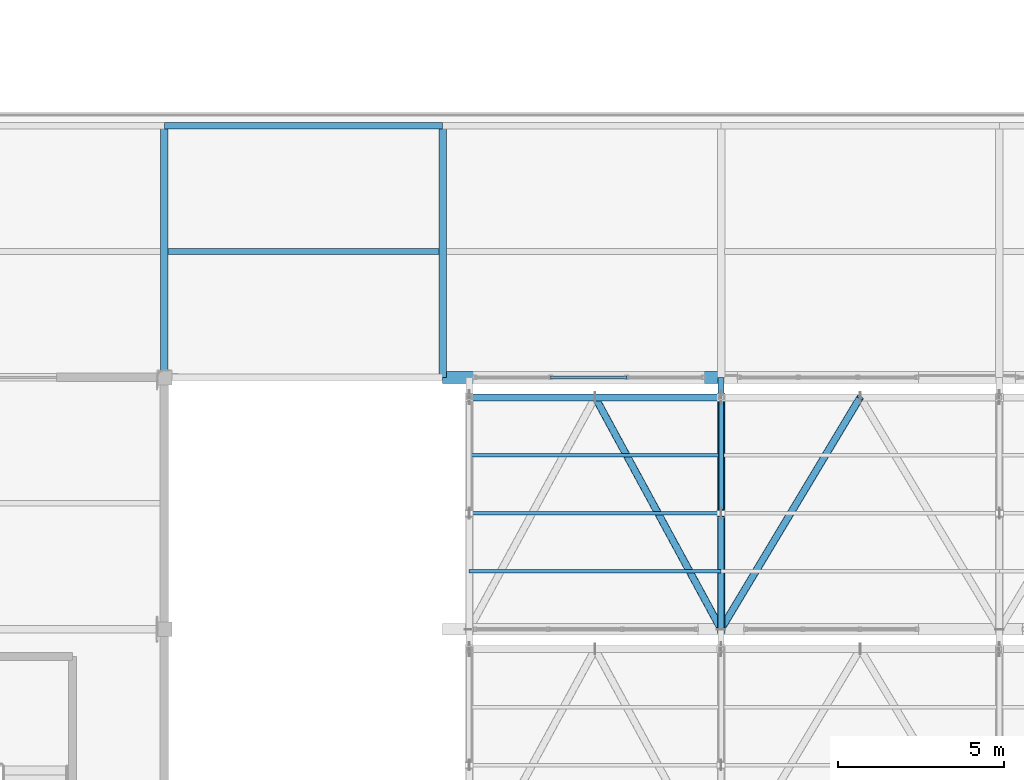
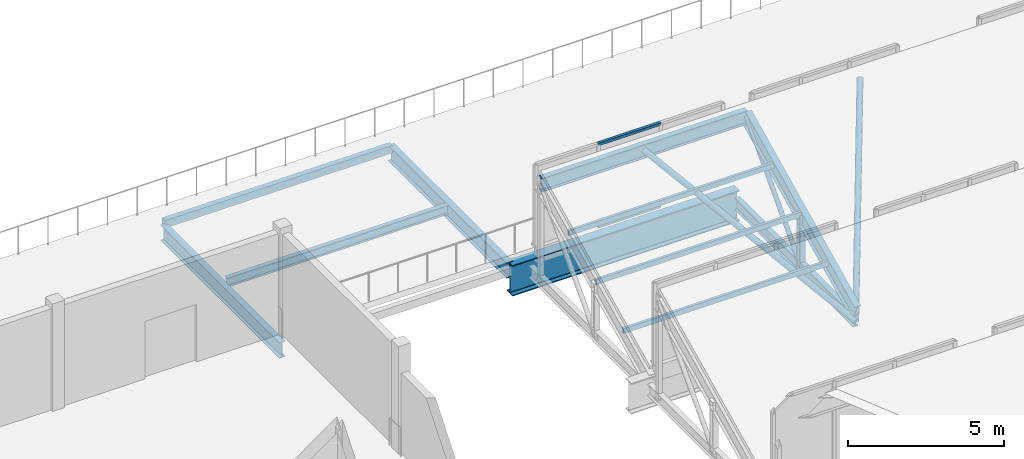
# One storey, part 18 of 57: 12 members, 5 beams, 1 element without a shape of its own.
"""IFC4 building model written with IfcOpenShell, lengths in metres."""

from ifc_helpers import new_model, si_unit, direction, frame, origin, origin_2d, place, context, subcontext, project, spatial, hollow_rectangle, hollow_circle, i_section, extrude, material, material_profile, profile_set, type_object, element, aggregate, save


model = new_model("IFC4")

# Units and contexts
model_context = context("Model", 3, precision=1e-05, world=origin(), true_north=direction((0.0, 1.0)))
body_context = subcontext(model_context, "Body", "Model", "MODEL_VIEW")
ifc_project = project(units=[si_unit("LENGTHUNIT", "METRE"), si_unit("AREAUNIT", "SQUARE_METRE"), si_unit("VOLUMEUNIT", "CUBIC_METRE"), si_unit("PLANEANGLEUNIT", "RADIAN"), si_unit("MASSUNIT", "GRAM", prefix="KILO")], contexts=[model_context])

# Site, building, storey
site_placement = place(None, origin())
site = spatial("IfcSite", under=ifc_project, at=site_placement, CompositionType="ELEMENT")
building_placement = place(site_placement, origin())
building = spatial("IfcBuilding", under=site, at=building_placement, Name="Zuvorla Pavilion Media Centre", CompositionType="ELEMENT")
storey_placement = place(building_placement, frame((0.0, 0.0, 18.0)))
storey = spatial("IfcBuildingStorey", under=building, at=storey_placement, Name="L04", CompositionType="ELEMENT", Elevation=18.0)

# Beams
ifc_material_1 = material(Name="Steel S355", Category="steel")
ifc_material_profile_1 = material_profile(ifc_material_1, i_section(OverallWidth=0.360107421875, OverallDepth=1.199951171875, WebThickness=0.02001953125, FlangeThickness=0.0380859375, FilletRadius=0.02392578125, at=origin_2d()), Name="PG 1200x360x38")
ifc_profile_set_1 = profile_set([ifc_material_profile_1], Name="Steel S355")
beam_type_1 = type_object("IfcBeamType", Name="BM-PG1200", PredefinedType="BEAM", material=ifc_profile_set_1)
beam_1_placement = place(storey_placement, frame((117.199951171875, 44.0, -0.887939453125), z_axis=(1.0, 0.0, 0.0), x_axis=(0.0, 1.0, 0.0)))
element("IfcBeam", 1, at=beam_1_placement, inside=storey, type_object=beam_type_1, Name="L04 beam B01 1829", PredefinedType="BEAM", context=body_context, shape_type="SweptSolid", body=[
    extrude(i_section(OverallWidth=0.360107421875, OverallDepth=1.199951171875, WebThickness=0.02001953125, FlangeThickness=0.0380859375, FilletRadius=0.02392578125, at=origin_2d()), origin(), (0.0, 0.0, 1.0), 8.400146484375),
])
ifc_material_profile_2 = material_profile(ifc_material_1, hollow_rectangle(XDim=0.199951171875, YDim=0.300048828125, WallThickness=0.012451171875, at=origin_2d()), Name="RHS 300x200x12.5")
ifc_profile_set_2 = profile_set([ifc_material_profile_2], Name="Steel S355")
beam_type_2 = type_object("IfcBeamType", Name="BM-SP-RHS300", PredefinedType="SPANDREL", material=ifc_profile_set_2)
beam_2_placement = place(storey_placement, frame((108.800048828125, 51.60009765625, -0.39794921875), z_axis=(1.0, 0.0, 0.0), x_axis=(0.0, 1.0, 0.0)))
element("IfcBeam", 2, at=beam_2_placement, inside=storey, type_object=beam_type_2, Name="L04 spandrel SP01 1345", PredefinedType="SPANDREL", context=body_context, shape_type="SweptSolid", body=[
    extrude(hollow_rectangle(XDim=0.199951171875, YDim=0.300048828125, WallThickness=0.012451171875, at=origin_2d()), origin(), (0.0, 0.0, 1.0), 8.39990234375),
])
ifc_material_profile_3 = material_profile(ifc_material_1, i_section(OverallWidth=0.172119140625, OverallDepth=0.35791015625, WebThickness=0.008056640625, FlangeThickness=0.012939453125, FilletRadius=0.01025390625, at=origin_2d()), Name="UB 356x171x57")
ifc_profile_set_3 = profile_set([ifc_material_profile_3], Name="Steel S355")
beam_type_3 = type_object("IfcBeamType", Name="BM-UB356", PredefinedType="JOIST", material=ifc_profile_set_3)
beam_3_placement = place(storey_placement, frame((108.909423828125, 47.800048828125, -0.427001953125), z_axis=(1.0, 0.0, 0.0), x_axis=(0.0, 1.0, 0.0)))
element("IfcBeam", 3, at=beam_3_placement, inside=storey, type_object=beam_type_3, Name="L04 joist J03 1523", PredefinedType="JOIST", context=body_context, shape_type="SweptSolid", body=[
    extrude(i_section(OverallWidth=0.172119140625, OverallDepth=0.35791015625, WebThickness=0.008056640625, FlangeThickness=0.012939453125, FilletRadius=0.01025390625, at=origin_2d()), origin(), (0.0, 0.0, 1.0), 8.18115234375),
])
ifc_material_profile_4 = material_profile(ifc_material_1, i_section(OverallWidth=0.22900390625, OverallDepth=0.6123046875, WebThickness=0.011962890625, FlangeThickness=0.01953125, FilletRadius=0.0126953125, at=origin_2d()), Name="UB 610x229x125")
ifc_profile_set_4 = profile_set([ifc_material_profile_4], Name="Steel S355")
beam_type_4 = type_object("IfcBeamType", Name="BM-UB610", PredefinedType="BEAM", material=ifc_profile_set_4)
for number, where, z_axis, x_axis, name in (
    (4, (108.800048828125, 44.0, -0.734130859375), (0.0, 1.0, 0.0), (-1.0, 0.0, 0.0), "L04 beam B07 1454"),
    (5, (117.199951171875, 44.0, -0.55419921875), (0.0, 1.0, 0.0), (-1.0, 0.0, 0.0), "L04 beam B07 1456"),
):
    element("IfcBeam", number, at=place(storey_placement, frame(where, z_axis=z_axis, x_axis=x_axis)), inside=storey, type_object=beam_type_4, Name=name, PredefinedType="BEAM", context=body_context, shape_type="SweptSolid", body=[
        extrude(i_section(OverallWidth=0.22900390625, OverallDepth=0.6123046875, WebThickness=0.011962890625, FlangeThickness=0.01953125, FilletRadius=0.0126953125, at=origin_2d()), origin(), (0.0, 0.0, 1.0), 7.60009765625),
    ])

# Curtain wall, members
ifc_material_2 = material(Name="Unitised anodised aluminium and solar glass curtain wall", Category="aluminium")
curtain_wall_type = type_object("IfcCurtainWallType", Name="CW-SYS-92", PredefinedType="USERDEFINED", material=ifc_material_2)
curtain_wall_placement = place(storey_placement, origin())
curtain_wall = element("IfcCurtainWall", 6, at=curtain_wall_placement, inside=storey, type_object=curtain_wall_type, Name="L04 curtain wall CW92 246", ObjectType="CURTAIN WALL", PredefinedType="USERDEFINED")
ifc_material_3 = material(Name="Anodised aluminium 6063-T6", Category="aluminium")
ifc_material_profile_5 = material_profile(ifc_material_3, hollow_rectangle(XDim=0.10009765625, YDim=0.10009765625, WallThickness=0.00439453125, at=origin_2d()), Name="ALU TRAN 100x100")
ifc_profile_set_5 = profile_set([ifc_material_profile_5], Name="Anodised aluminium 6063-T6")
member_type_1 = type_object("IfcMemberType", Name="CW-TRAN-100", PredefinedType="USERDEFINED", material=ifc_profile_set_5)
member_1_placement = place(storey_placement, frame((120.458984375, 44.0, 0.0), z_axis=(1.0, 0.0, 0.0), x_axis=(0.0, 1.0, 0.0)))
member_1 = element("IfcMember", 7, at=member_1_placement, type_object=member_type_1, Name="CW92 transom 2.1", ObjectType="TRANSOM", PredefinedType="USERDEFINED", context=body_context, shape_type="SweptSolid", body=[
    extrude(hollow_rectangle(XDim=0.10009765625, YDim=0.10009765625, WallThickness=0.00439453125, at=origin_2d()), origin(), (0.0, 0.0, 1.0), 2.29931640625),
])
member_2_placement = place(storey_placement, frame((120.458984375, 44.0, 3.219970703125), z_axis=(1.0, 0.0, 0.0), x_axis=(0.0, 1.0, 0.0)))
member_2 = element("IfcMember", 8, at=member_2_placement, type_object=member_type_1, Name="CW92 transom 2.2", ObjectType="TRANSOM", PredefinedType="USERDEFINED", context=body_context, shape_type="SweptSolid", body=[
    extrude(hollow_rectangle(XDim=0.10009765625, YDim=0.10009765625, WallThickness=0.00439453125, at=origin_2d()), origin(), (0.0, 0.0, 1.0), 2.29931640625),
])
aggregate(curtain_wall, [member_1, member_2])

# Members
ifc_material_profile_6 = material_profile(ifc_material_1, hollow_circle(Radius=0.084228515625, WallThickness=0.008056640625, at=origin_2d()), Name="CHS 168.3x8")
ifc_profile_set_6 = profile_set([ifc_material_profile_6], Name="Steel S355")
member_type_2 = type_object("IfcMemberType", Name="MEM-BRC-CHS168", PredefinedType="BRACE", material=ifc_profile_set_6)
member_3_placement = place(storey_placement, frame((125.60009765625, 39.89990234375, -0.8798828125), z_axis=(0.0, 0.681156069412, 0.732138244529), x_axis=(-1.0, 0.0, 0.0)))
element("IfcMember", 9, at=member_3_placement, inside=storey, type_object=member_type_2, Name="L04 diagonal brace TB03 746", PredefinedType="BRACE", context=body_context, shape_type="SweptSolid", body=[
    extrude(hollow_circle(Radius=0.084228515625, WallThickness=0.008056640625, at=origin_2d()), origin(), (0.0, 0.0, 1.0), 5.138427734375),
])
ifc_material_profile_7 = material_profile(ifc_material_1, hollow_circle(Radius=0.109619140625, WallThickness=0.010009765625, at=origin_2d()), Name="CHS 219.1x10")
ifc_profile_set_7 = profile_set([ifc_material_profile_7], Name="Steel S355")
member_type_3 = type_object("IfcMemberType", Name="MEM-BRC-CHS219", PredefinedType="BRACE", material=ifc_profile_set_7)
member_4_placement = place(storey_placement, frame((121.800048828125, 43.39990234375, 2.882080078125), z_axis=(0.431398513672, -0.79467126142, -0.427074827958), x_axis=(0.878850861224, 0.477096597899, 0.0)))
element("IfcMember", 10, at=member_4_placement, inside=storey, type_object=member_type_3, Name="L04 diagonal brace TB02 770", PredefinedType="BRACE", context=body_context, shape_type="SweptSolid", body=[
    extrude(hollow_circle(Radius=0.109619140625, WallThickness=0.010009765625, at=origin_2d()), origin(), (0.0, 0.0, 1.0), 8.80859375),
])
member_5_placement = place(storey_placement, frame((125.60009765625, 36.39990234375, -0.8798828125), z_axis=(0.46726169892, 0.778778552081, 0.418533716135), x_axis=(-0.857495564561, 0.514491357322, 0.0)))
element("IfcMember", 11, at=member_5_placement, inside=storey, type_object=member_type_3, Name="L04 diagonal brace TB02 775", PredefinedType="BRACE", context=body_context, shape_type="SweptSolid", body=[
    extrude(hollow_circle(Radius=0.109619140625, WallThickness=0.010009765625, at=origin_2d()), origin(), (0.0, 0.0, 1.0), 8.988525390625),
])
ifc_material_profile_8 = material_profile(ifc_material_1, i_section(OverallWidth=0.19140625, OverallDepth=0.4599609375, WebThickness=0.010009765625, FlangeThickness=0.01611328125, FilletRadius=0.01025390625, at=origin_2d()), Name="UB 457x191x82")
ifc_profile_set_8 = profile_set([ifc_material_profile_8], Name="Steel S355")
member_type_4 = type_object("IfcMemberType", Name="MEM-CHD-UB457", PredefinedType="CHORD", material=ifc_profile_set_8)
member_6_placement = place(storey_placement, frame((125.60009765625, 36.39990234375, -0.8798828125), z_axis=(0.0, 1.0, 0.0), x_axis=(-1.0, 0.0, 0.0)))
element("IfcMember", 12, at=member_6_placement, inside=storey, type_object=member_type_4, Name="L04 chord TC03 743", PredefinedType="CHORD", context=body_context, shape_type="SweptSolid", body=[
    extrude(i_section(OverallWidth=0.19140625, OverallDepth=0.4599609375, WebThickness=0.010009765625, FlangeThickness=0.01611328125, FilletRadius=0.01025390625, at=origin_2d()), origin(), (0.0, 0.0, 1.0), 7.60009765625),
])
ifc_material_profile_9 = material_profile(ifc_material_1, i_section(OverallWidth=0.2099609375, OverallDepth=0.53662109375, WebThickness=0.0107421875, FlangeThickness=0.017333984375, FilletRadius=0.0126953125, at=origin_2d()), Name="UB 533x210x101")
ifc_profile_set_9 = profile_set([ifc_material_profile_9], Name="Steel S355")
member_type_5 = type_object("IfcMemberType", Name="MEM-CHD-UB533", PredefinedType="CHORD", material=ifc_profile_set_9)
member_7_placement = place(storey_placement, frame((118.0, 43.39990234375, 2.882080078125), z_axis=(1.0, 0.0, 0.0), x_axis=(0.0, 1.0, 0.0)))
element("IfcMember", 13, at=member_7_placement, inside=storey, type_object=member_type_5, Name="L04 chord TC02 768", PredefinedType="CHORD", context=body_context, shape_type="SweptSolid", body=[
    extrude(i_section(OverallWidth=0.2099609375, OverallDepth=0.53662109375, WebThickness=0.0107421875, FlangeThickness=0.017333984375, FilletRadius=0.0126953125, at=origin_2d()), origin(), (0.0, 0.0, 1.0), 7.60009765625),
])
ifc_material_profile_10 = material_profile(ifc_material_1, i_section(OverallWidth=0.22900390625, OverallDepth=0.6123046875, WebThickness=0.011962890625, FlangeThickness=0.01953125, FilletRadius=0.0126953125, at=origin_2d()), Name="UB 610x229x125")
ifc_profile_set_10 = profile_set([ifc_material_profile_10], Name="Steel S355")
member_type_6 = type_object("IfcMemberType", Name="MEM-CHD-UB610", PredefinedType="CHORD", material=ifc_profile_set_10)
member_8_placement = place(storey_placement, frame((125.60009765625, 36.39990234375, -0.517822265625), z_axis=(0.0, 0.899513090263, 0.436893809117), x_axis=(-1.0, 0.0, 0.0)))
element("IfcMember", 14, at=member_8_placement, inside=storey, type_object=member_type_6, Name="L04 chord TC01 744", PredefinedType="CHORD", context=body_context, shape_type="SweptSolid", body=[
    extrude(i_section(OverallWidth=0.22900390625, OverallDepth=0.6123046875, WebThickness=0.011962890625, FlangeThickness=0.01953125, FilletRadius=0.0126953125, at=origin_2d()), origin(), (0.0, 0.0, 1.0), 7.781982421875),
])
ifc_material_profile_11 = material_profile(ifc_material_1, hollow_rectangle(XDim=0.10009765625, YDim=0.199951171875, WallThickness=0.008056640625, at=origin_2d()), Name="RHS 200x100x8")
ifc_profile_set_11 = profile_set([ifc_material_profile_11], Name="Steel S355")
member_type_7 = type_object("IfcMemberType", Name="MEM-PUR-RHS200", PredefinedType="PURLIN", material=ifc_profile_set_11)
for number, where, z_axis, x_axis, name in (
    (15, (118.0, 38.14990234375, 0.33203125), (1.0, 0.0, 0.0), (0.0, 1.0, 0.0), "L04 purlin PR01 771"),
    (16, (118.0, 39.89990234375, 1.18212890625), (1.0, 0.0, 0.0), (0.0, 1.0, 0.0), "L04 purlin PR01 772"),
    (17, (118.0, 41.64990234375, 2.031982421875), (1.0, 0.0, 0.0), (0.0, 1.0, 0.0), "L04 purlin PR01 773"),
):
    element("IfcMember", number, at=place(storey_placement, frame(where, z_axis=z_axis, x_axis=x_axis)), inside=storey, type_object=member_type_7, Name=name, PredefinedType="PURLIN", context=body_context, shape_type="SweptSolid", body=[
        extrude(hollow_rectangle(XDim=0.10009765625, YDim=0.199951171875, WallThickness=0.008056640625, at=origin_2d()), origin(), (0.0, 0.0, 1.0), 7.60009765625),
    ])
ifc_material_profile_12 = material_profile(ifc_material_1, i_section(OverallWidth=0.205810546875, OverallDepth=0.209716796875, WebThickness=0.009521484375, FlangeThickness=0.01416015625, FilletRadius=0.01025390625, at=origin_2d()), Name="UC 203x203x60")
ifc_profile_set_12 = profile_set([ifc_material_profile_12], Name="Steel S355")
member_type_8 = type_object("IfcMemberType", Name="MEM-STR-UC203", PredefinedType="STRUT", material=ifc_profile_set_12)
member_9_placement = place(storey_placement, frame((125.60009765625, 39.89990234375, -0.8798828125), z_axis=(0.0, 0.0, 1.0), x_axis=(1.0, 0.0, 0.0)))
element("IfcMember", 18, at=member_9_placement, inside=storey, type_object=member_type_8, Name="L04 vertical strut TS02 747", PredefinedType="STRUT", context=body_context, shape_type="SweptSolid", body=[
    extrude(i_section(OverallWidth=0.205810546875, OverallDepth=0.209716796875, WebThickness=0.009521484375, FlangeThickness=0.01416015625, FilletRadius=0.01025390625, at=origin_2d()), origin(), (0.0, 0.0, 1.0), 2.06201171875),
])

save(model, "model.ifc")
